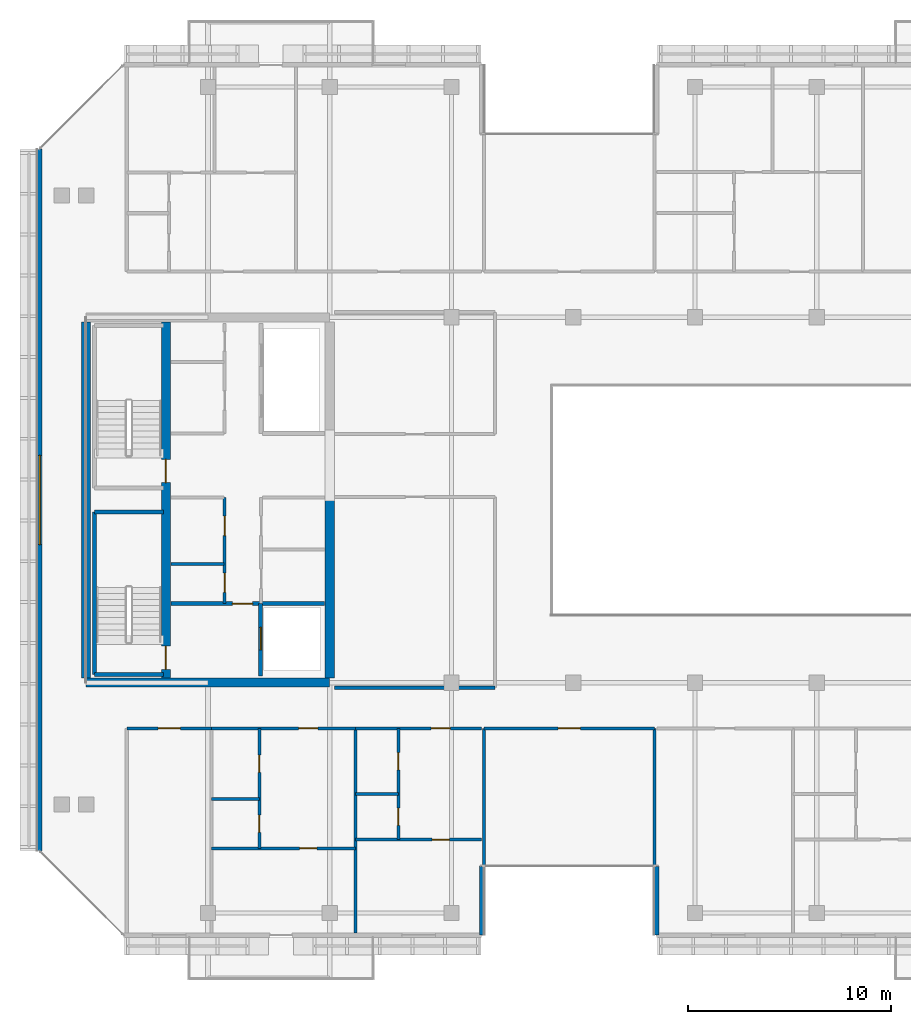
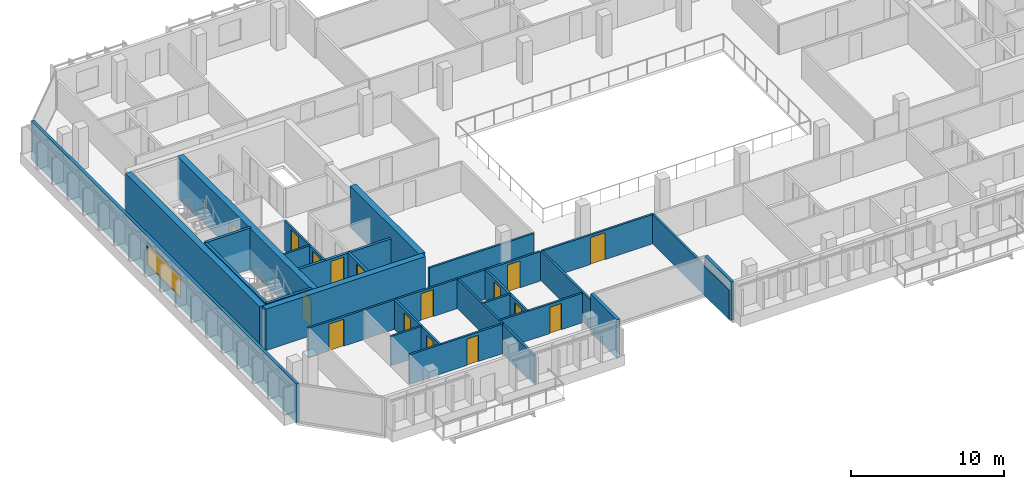
# One storey, part 14 of 25: 28 walls, 16 doors, 1 window, 17 openings.
"""IFC4 building model written with IfcOpenShell, lengths in metres."""

from ifc_helpers import new_model, si_unit, direction, frame, frame_2d, origin, place, context, subcontext, project, spatial, rectangle, extrude, material, layer, layer_set, type_object, element, fill, save


model = new_model("IFC4")

# Units and contexts
model_context = context("Model", 3, precision=1e-05, world=origin(), true_north=direction((0.0, 1.0)))
body_context = subcontext(model_context, "Body", "Model", "MODEL_VIEW")
ifc_project = project(units=[si_unit("LENGTHUNIT", "METRE"), si_unit("AREAUNIT", "SQUARE_METRE"), si_unit("VOLUMEUNIT", "CUBIC_METRE"), si_unit("PLANEANGLEUNIT", "RADIAN"), si_unit("MASSUNIT", "GRAM", prefix="KILO")], contexts=[model_context])

# Site, building, storey
site_placement = place(None, origin())
site = spatial("IfcSite", under=ifc_project, at=site_placement, CompositionType="ELEMENT")
building_placement = place(site_placement, origin())
building = spatial("IfcBuilding", under=site, at=building_placement, Name="Tanjung Sevakor Pilgrim Tower", CompositionType="ELEMENT")
storey_placement = place(building_placement, frame((0.0, 0.0, 204.929931640625)))
storey = spatial("IfcBuildingStorey", under=building, at=storey_placement, Name="L57", CompositionType="ELEMENT", Elevation=204.929931640625)

# Walls
ifc_material_1 = material(Name="Concrete C60/75", Category="concrete")
ifc_layer_1 = layer(ifc_material_1, 0.449951171875)
ifc_layer_set_1 = layer_set([ifc_layer_1], Name="WALL-CW-450")
wall_type_1 = type_object("IfcWallType", Name="WALL-CW-450", PredefinedType="SHEAR", material=ifc_layer_set_1)
wall_1_placement = place(storey_placement, frame((24.0, 24.60009765625, 0.0), z_axis=(0.0, 0.0, 1.0), x_axis=(1.0, 0.0, 0.0)))
element("IfcWall", 1, at=wall_1_placement, inside=storey, type_object=wall_type_1, Name="L57 W Core South Shear Wall", PredefinedType="SHEAR", context=body_context, shape_type="SweptSolid", body=[
    extrude(rectangle(XDim=12.0, YDim=0.449951171875, at=frame_2d((6.0, 0.0))), origin(), (0.0, 0.0, 1.0), 3.300048828125),
])
wall_2_placement = place(storey_placement, frame((24.0, 24.824951171875, 0.0), z_axis=(0.0, 0.0, 1.0), x_axis=(0.0, 1.0, 0.0)))
element("IfcWall", 2, at=wall_2_placement, inside=storey, type_object=wall_type_1, Name="L57 W Core Outer Shear Wall", PredefinedType="SHEAR", context=body_context, shape_type="SweptSolid", body=[
    extrude(rectangle(XDim=17.550048828125, YDim=0.449951171875, at=frame_2d((8.77490234375, 0.0))), origin(), (0.0, 0.0, 1.0), 3.300048828125),
])
wall_3_placement = place(storey_placement, frame((36.0, 24.824951171875, 0.0), z_axis=(0.0, 0.0, 1.0), x_axis=(0.0, 1.0, 0.0)))
element("IfcWall", 3, at=wall_3_placement, inside=storey, type_object=wall_type_1, Name="L57 W Core Inner Shear Wall South", PredefinedType="SHEAR", context=body_context, shape_type="SweptSolid", body=[
    extrude(rectangle(XDim=8.97509765625, YDim=0.449951171875, at=frame_2d((4.487548828125, 0.0))), origin(), (0.0, 0.0, 1.0), 3.300048828125),
])

# Wall, openings, doors
wall_4_placement = place(storey_placement, frame((27.925048828125, 24.824951171875, 0.0), z_axis=(0.0, 0.0, 1.0), x_axis=(0.0, 1.0, 0.0)))
wall_4 = element("IfcWall", 4, at=wall_4_placement, inside=storey, type_object=wall_type_1, Name="L57 W Core Stair Spine Wall", PredefinedType="SHEAR", context=body_context, shape_type="SweptSolid", body=[
    extrude(rectangle(XDim=17.550048828125, YDim=0.449951171875, at=frame_2d((8.77490234375, 0.0))), origin(), (0.0, 0.0, 1.0), 3.300048828125),
])
opening_1_placement = place(wall_4_placement, frame((0.425048828125, 0.0, 0.0)))
opening_1 = element("IfcOpeningElement", 5, at=opening_1_placement, cuts=wall_4, Name="Opening ID-ST1", PredefinedType="OPENING", context=body_context, shape_type="SweptSolid", body=[
    extrude(rectangle(XDim=1.14990234375, YDim=2.14990234375, at=frame_2d((0.574951171875, 1.074951171875))), frame((0.0, 0.23486328125, 0.0), z_axis=(0.0, -1.0, 0.0), x_axis=(1.0, 0.0, 0.0)), (0.0, 0.0, 1.0), 0.469970703125),
])
opening_2_placement = place(wall_4_placement, frame((9.625, 0.0, 0.0)))
opening_2 = element("IfcOpeningElement", 6, at=opening_2_placement, cuts=wall_4, Name="Opening ID-ST1", PredefinedType="OPENING", context=body_context, shape_type="SweptSolid", body=[
    extrude(rectangle(XDim=1.14990234375, YDim=2.14990234375, at=frame_2d((0.574951171875, 1.074951171875))), frame((0.0, 0.23486328125, 0.0), z_axis=(0.0, -1.0, 0.0), x_axis=(1.0, 0.0, 0.0)), (0.0, 0.0, 1.0), 0.469970703125),
])
ifc_material_2 = material(Name="Fire-Rated Steel S355J2", Category="steel")
door_type_1 = type_object("IfcDoorType", Name="DT-FIRE-1150", OperationType="NOTDEFINED", PredefinedType="DOOR", material=ifc_material_2)
door_1_placement = place(opening_1_placement, origin())
door_1 = element("IfcDoor", 7, at=door_1_placement, inside=storey, type_object=door_type_1, Name="L57 TS-W1 Stair Fire Door", OperationType="SINGLE_SWING_RIGHT", OverallHeight=2.14990234375, OverallWidth=1.14990234375, PredefinedType="DOOR", context=body_context, shape_type="SweptSolid", body=[
    extrude(rectangle(XDim=1.14990234375, YDim=2.14990234375, at=frame_2d((0.574951171875, 1.074951171875))), frame((0.0, 0.02490234375, 0.0), z_axis=(0.0, -1.0, 0.0), x_axis=(1.0, 0.0, 0.0)), (0.0, 0.0, 1.0), 0.050048828125),
])
fill(opening_1, door_1)
door_2_placement = place(opening_2_placement, origin())
door_2 = element("IfcDoor", 8, at=door_2_placement, inside=storey, type_object=door_type_1, Name="L57 TS-W2 Stair Fire Door", OperationType="SINGLE_SWING_LEFT", OverallHeight=2.14990234375, OverallWidth=1.14990234375, PredefinedType="DOOR", context=body_context, shape_type="SweptSolid", body=[
    extrude(rectangle(XDim=1.14990234375, YDim=2.14990234375, at=frame_2d((0.574951171875, 1.074951171875))), frame((0.0, 0.02490234375, 0.0), z_axis=(0.0, -1.0, 0.0), x_axis=(1.0, 0.0, 0.0)), (0.0, 0.0, 1.0), 0.050048828125),
])
fill(opening_2, door_2)

# Wall
ifc_material_3 = material(Name="Concrete C40/50", Category="concrete")
ifc_layer_2 = layer(ifc_material_3, 0.14990234375)
ifc_layer_set_2 = layer_set([ifc_layer_2], Name="WT-COMP-150")
wall_type_2 = type_object("IfcWallType", Name="WT-COMP-150", PredefinedType="SOLIDWALL", material=ifc_layer_set_2)
wall_5_placement = place(storey_placement, frame((28.169921875, 30.449951171875, 0.0), z_axis=(0.0, 0.0, 1.0), x_axis=(1.0, 0.0, 0.0)))
element("IfcWall", 9, at=wall_5_placement, inside=storey, type_object=wall_type_2, Name="L57 Partition IW-L57-003", PredefinedType="SOLIDWALL", context=body_context, shape_type="SweptSolid", body=[
    extrude(rectangle(XDim=2.630126953125, YDim=0.14990234375, at=frame_2d((1.31494140625, 0.0))), origin(), (0.0, 0.0, 1.0), 2.35009765625),
])

# Wall, openings, doors
wall_6_placement = place(storey_placement, frame((30.820068359375, 28.5, 0.0), z_axis=(0.0, 0.0, 1.0), x_axis=(0.0, 1.0, 0.0)))
wall_6 = element("IfcWall", 10, at=wall_6_placement, inside=storey, type_object=wall_type_2, Name="L57 Partition IW-L57-005", PredefinedType="SOLIDWALL", context=body_context, shape_type="SweptSolid", body=[
    extrude(rectangle(XDim=5.219970703125, YDim=0.14990234375, at=frame_2d((2.60986328125, 0.0))), origin(), (0.0, 0.0, 1.0), 2.35009765625),
])
opening_3_placement = place(wall_6_placement, frame((0.550048828125, 0.0, 0.0)))
opening_3 = element("IfcOpeningElement", 11, at=opening_3_placement, cuts=wall_6, Name="Opening ID-FD2", PredefinedType="OPENING", context=body_context, shape_type="SweptSolid", body=[
    extrude(rectangle(XDim=0.949951171875, YDim=2.14990234375, at=frame_2d((0.47509765625, 1.074951171875))), frame((0.0, 0.0849609375, 0.0), z_axis=(0.0, -1.0, 0.0), x_axis=(1.0, 0.0, 0.0)), (0.0, 0.0, 1.0), 0.169921875),
])
opening_4_placement = place(wall_6_placement, frame((3.35009765625, 0.0, 0.0)))
opening_4 = element("IfcOpeningElement", 12, at=opening_4_placement, cuts=wall_6, Name="Opening ID-FD2", PredefinedType="OPENING", context=body_context, shape_type="SweptSolid", body=[
    extrude(rectangle(XDim=0.949951171875, YDim=2.14990234375, at=frame_2d((0.47509765625, 1.074951171875))), frame((0.0, 0.0849609375, 0.0), z_axis=(0.0, -1.0, 0.0), x_axis=(1.0, 0.0, 0.0)), (0.0, 0.0, 1.0), 0.169921875),
])
ifc_material_4 = material(Name="Fire-Rated Timber", Category="wood")
door_type_2 = type_object("IfcDoorType", Name="DT-FIRE-950", OperationType="NOTDEFINED", PredefinedType="DOOR", material=ifc_material_4)
door_3_placement = place(opening_3_placement, origin())
door_3 = element("IfcDoor", 13, at=door_3_placement, inside=storey, type_object=door_type_2, Name="L57 Cleaner Store Door", OperationType="SINGLE_SWING_RIGHT", OverallHeight=2.14990234375, OverallWidth=0.949951171875, PredefinedType="DOOR", context=body_context, shape_type="SweptSolid", body=[
    extrude(rectangle(XDim=0.949951171875, YDim=2.14990234375, at=frame_2d((0.47509765625, 1.074951171875))), frame((0.0, 0.02490234375, 0.0), z_axis=(0.0, -1.0, 0.0), x_axis=(1.0, 0.0, 0.0)), (0.0, 0.0, 1.0), 0.050048828125),
])
fill(opening_3, door_3)
door_4_placement = place(opening_4_placement, origin())
door_4 = element("IfcDoor", 14, at=door_4_placement, inside=storey, type_object=door_type_2, Name="L57 Housekeeping Pantry Door", OperationType="SINGLE_SWING_LEFT", OverallHeight=2.14990234375, OverallWidth=0.949951171875, PredefinedType="DOOR", context=body_context, shape_type="SweptSolid", body=[
    extrude(rectangle(XDim=0.949951171875, YDim=2.14990234375, at=frame_2d((0.47509765625, 1.074951171875))), frame((0.0, 0.02490234375, 0.0), z_axis=(0.0, -1.0, 0.0), x_axis=(1.0, 0.0, 0.0)), (0.0, 0.0, 1.0), 0.050048828125),
])
fill(opening_4, door_4)

# Wall
wall_7_placement = place(storey_placement, frame((36.2451171875, 24.35009765625, 0.0), z_axis=(0.0, 0.0, 1.0), x_axis=(1.0, 0.0, 0.0)))
element("IfcWall", 15, at=wall_7_placement, inside=storey, type_object=wall_type_2, Name="L57 Partition IW-L57-027", PredefinedType="SOLIDWALL", context=body_context, shape_type="SweptSolid", body=[
    extrude(rectangle(XDim=7.90478515625, YDim=0.14990234375, at=frame_2d((3.952392578125, 0.0))), origin(), (0.0, 0.0, 1.0), 2.35009765625),
])

# Wall, opening, door
wall_8_placement = place(storey_placement, frame((43.60009765625, 22.35009765625, 0.0), z_axis=(0.0, 0.0, 1.0), x_axis=(1.0, 0.0, 0.0)))
wall_8 = element("IfcWall", 16, at=wall_8_placement, inside=storey, type_object=wall_type_2, Name="L57 Partition IW-L57-039", PredefinedType="SOLIDWALL", context=body_context, shape_type="SweptSolid", body=[
    extrude(rectangle(XDim=8.39990234375, YDim=0.14990234375, at=frame_2d((4.199951171875, 0.0))), origin(), (0.0, 0.0, 1.0), 2.35009765625),
])
opening_5_placement = place(wall_8_placement, frame((3.64990234375, 0.0, 0.0)))
opening_5 = element("IfcOpeningElement", 17, at=opening_5_placement, cuts=wall_8, Name="Opening ID-RM2", PredefinedType="OPENING", context=body_context, shape_type="SweptSolid", body=[
    extrude(rectangle(XDim=1.10009765625, YDim=2.14990234375, at=frame_2d((0.550048828125, 1.074951171875))), frame((0.0, 0.0849609375, 0.0), z_axis=(0.0, -1.0, 0.0), x_axis=(1.0, 0.0, 0.0)), (0.0, 0.0, 1.0), 0.169921875),
])
ifc_material_5 = material(Name="Hardwood Timber", Category="wood")
door_type_3 = type_object("IfcDoorType", Name="DT-INT-1100", OperationType="NOTDEFINED", PredefinedType="DOOR", material=ifc_material_5)
door_5_placement = place(opening_5_placement, origin())
door_5 = element("IfcDoor", 18, at=door_5_placement, inside=storey, type_object=door_type_3, Name="L57 South Cleft Observatory Door", OperationType="SINGLE_SWING_RIGHT", OverallHeight=2.14990234375, OverallWidth=1.10009765625, PredefinedType="DOOR", context=body_context, shape_type="SweptSolid", body=[
    extrude(rectangle(XDim=1.10009765625, YDim=2.14990234375, at=frame_2d((0.550048828125, 1.074951171875))), frame((0.0, 0.02490234375, 0.0), z_axis=(0.0, -1.0, 0.0), x_axis=(1.0, 0.0, 0.0)), (0.0, 0.0, 1.0), 0.050048828125),
])
fill(opening_5, door_5)

# Walls
for number, where, z_axis, x_axis, name in (
    (19, (43.60009765625, 12.27001953125, 0.0), (0.0, 0.0, 1.0), (0.0, 1.0, 0.0), "L57 Partition IW-L57-040"),
    (20, (52.0, 12.27001953125, 0.0), (0.0, 0.0, 1.0), (0.0, 1.0, 0.0), "L57 Partition IW-L57-041"),
):
    element("IfcWall", number, at=place(storey_placement, frame(where, z_axis=z_axis, x_axis=x_axis)), inside=storey, type_object=wall_type_2, Name=name, PredefinedType="SOLIDWALL", context=body_context, shape_type="SweptSolid", body=[
        extrude(rectangle(XDim=10.080078125, YDim=0.14990234375, at=frame_2d((5.0400390625, 0.0))), origin(), (0.0, 0.0, 1.0), 2.35009765625),
    ])

# Wall, opening, door
wall_9_placement = place(storey_placement, frame((26.0, 22.35009765625, 0.0), z_axis=(0.0, 0.0, 1.0), x_axis=(1.0, 0.0, 0.0)))
wall_9 = element("IfcWall", 21, at=wall_9_placement, inside=storey, type_object=wall_type_2, Name="L57 Partition IW-L57-047", PredefinedType="SOLIDWALL", context=body_context, shape_type="SweptSolid", body=[
    extrude(rectangle(XDim=4.184326171875, YDim=0.14990234375, at=frame_2d((2.09228515625, 0.0))), origin(), (0.0, 0.0, 1.0), 2.35009765625),
])
opening_6_placement = place(wall_9_placement, frame((1.542236328125, 0.0, 0.0)))
opening_6 = element("IfcOpeningElement", 22, at=opening_6_placement, cuts=wall_9, Name="Opening ID-FD0", PredefinedType="OPENING", context=body_context, shape_type="SweptSolid", body=[
    extrude(rectangle(XDim=1.10009765625, YDim=2.14990234375, at=frame_2d((0.550048828125, 1.074951171875))), frame((0.0, 0.0849609375, 0.0), z_axis=(0.0, -1.0, 0.0), x_axis=(1.0, 0.0, 0.0)), (0.0, 0.0, 1.0), 0.169921875),
])
ifc_material_6 = material(Name="Fire-Rated Steel S355J2", Category="steel")
door_type_4 = type_object("IfcDoorType", Name="DT-FIRE-1100", OperationType="NOTDEFINED", PredefinedType="DOOR", material=ifc_material_6)
door_6_placement = place(opening_6_placement, origin())
door_6 = element("IfcDoor", 23, at=door_6_placement, inside=storey, type_object=door_type_4, Name="Communal Lounge Door", OperationType="SINGLE_SWING_RIGHT", OverallHeight=2.14990234375, OverallWidth=1.10009765625, PredefinedType="DOOR", context=body_context, shape_type="SweptSolid", body=[
    extrude(rectangle(XDim=1.10009765625, YDim=2.14990234375, at=frame_2d((0.550048828125, 1.074951171875))), frame((0.0, 0.02490234375, 0.0), z_axis=(0.0, -1.0, 0.0), x_axis=(1.0, 0.0, 0.0)), (0.0, 0.0, 1.0), 0.050048828125),
])
fill(opening_6, door_6)

# Wall
wall_10_placement = place(storey_placement, frame((37.27099609375, 12.27001953125, 0.0), z_axis=(0.0, 0.0, 1.0), x_axis=(0.0, 1.0, 0.0)))
element("IfcWall", 24, at=wall_10_placement, inside=storey, type_object=wall_type_2, Name="L57 Partition IW-L57-048", PredefinedType="SOLIDWALL", context=body_context, shape_type="SweptSolid", body=[
    extrude(rectangle(XDim=10.080078125, YDim=0.14990234375, at=frame_2d((5.0400390625, 0.0))), origin(), (0.0, 0.0, 1.0), 2.35009765625),
])

# Wall, opening, door
wall_11_placement = place(storey_placement, frame((30.184326171875, 22.35009765625, 0.0), z_axis=(0.0, 0.0, 1.0), x_axis=(1.0, 0.0, 0.0)))
wall_11 = element("IfcWall", 25, at=wall_11_placement, inside=storey, type_object=wall_type_2, Name="L57 Partition IW-L57-052", PredefinedType="SOLIDWALL", context=body_context, shape_type="SweptSolid", body=[
    extrude(rectangle(XDim=7.086669921875, YDim=0.14990234375, at=frame_2d((3.54345703125, 0.0))), origin(), (0.0, 0.0, 1.0), 2.35009765625),
])
opening_7_placement = place(wall_11_placement, frame((4.283203125, 0.0, 0.0)))
opening_7 = element("IfcOpeningElement", 26, at=opening_7_placement, cuts=wall_11, Name="Opening ID-FD2", PredefinedType="OPENING", context=body_context, shape_type="SweptSolid", body=[
    extrude(rectangle(XDim=0.949951171875, YDim=2.14990234375, at=frame_2d((0.47509765625, 1.074951171875))), frame((0.0, 0.0849609375, 0.0), z_axis=(0.0, -1.0, 0.0), x_axis=(1.0, 0.0, 0.0)), (0.0, 0.0, 1.0), 0.169921875),
])
door_7_placement = place(opening_7_placement, origin())
door_7 = element("IfcDoor", 27, at=door_7_placement, inside=storey, type_object=door_type_2, Name="Residence Entrance", OperationType="SINGLE_SWING_RIGHT", OverallHeight=2.14990234375, OverallWidth=0.949951171875, PredefinedType="DOOR", context=body_context, shape_type="SweptSolid", body=[
    extrude(rectangle(XDim=0.949951171875, YDim=2.14990234375, at=frame_2d((0.47509765625, 1.074951171875))), frame((0.0, 0.02490234375, 0.0), z_axis=(0.0, -1.0, 0.0), x_axis=(1.0, 0.0, 0.0)), (0.0, 0.0, 1.0), 0.050048828125),
])
fill(opening_7, door_7)

wall_12_placement = place(storey_placement, frame((37.27099609375, 22.35009765625, 0.0), z_axis=(0.0, 0.0, 1.0), x_axis=(1.0, 0.0, 0.0)))
wall_12 = element("IfcWall", 28, at=wall_12_placement, inside=storey, type_object=wall_type_2, Name="L57 Partition IW-L57-056", PredefinedType="SOLIDWALL", context=body_context, shape_type="SweptSolid", body=[
    extrude(rectangle(XDim=6.208984375, YDim=0.14990234375, at=frame_2d((3.1044921875, 0.0))), origin(), (0.0, 0.0, 1.0), 2.35009765625),
])
opening_8_placement = place(wall_12_placement, frame((3.72509765625, 0.0, 0.0)))
opening_8 = element("IfcOpeningElement", 29, at=opening_8_placement, cuts=wall_12, Name="Opening ID-FD2", PredefinedType="OPENING", context=body_context, shape_type="SweptSolid", body=[
    extrude(rectangle(XDim=0.949951171875, YDim=2.14990234375, at=frame_2d((0.47509765625, 1.074951171875))), frame((0.0, 0.0849609375, 0.0), z_axis=(0.0, -1.0, 0.0), x_axis=(1.0, 0.0, 0.0)), (0.0, 0.0, 1.0), 0.169921875),
])
door_8_placement = place(opening_8_placement, origin())
door_8 = element("IfcDoor", 30, at=door_8_placement, inside=storey, type_object=door_type_2, Name="Residence Entrance", OperationType="SINGLE_SWING_RIGHT", OverallHeight=2.14990234375, OverallWidth=0.949951171875, PredefinedType="DOOR", context=body_context, shape_type="SweptSolid", body=[
    extrude(rectangle(XDim=0.949951171875, YDim=2.14990234375, at=frame_2d((0.47509765625, 1.074951171875))), frame((0.0, 0.02490234375, 0.0), z_axis=(0.0, -1.0, 0.0), x_axis=(1.0, 0.0, 0.0)), (0.0, 0.0, 1.0), 0.050048828125),
])
fill(opening_8, door_8)

# Walls
ifc_material_7 = material(Name="Precast concrete C45/55", Category="concrete")
ifc_layer_3 = layer(ifc_material_7, 0.219970703125)
ifc_layer_set_3 = layer_set([ifc_layer_3], Name="WT-EW-STN4")
wall_type_3 = type_object("IfcWallType", Name="WT-EW-STN4", PredefinedType="SOLIDWALL", material=ifc_layer_set_3)
for number, where, z_axis, x_axis, name in (
    (31, (43.489990234375, 12.159912109375, 0.0), (0.0, 0.0, 1.0), (0.0, 1.0, 0.0), "L57 MAIN Exterior Wall 2"),
    (32, (52.110107421875, 15.56005859375, 0.0), (0.0, 0.0, 1.0), (0.0, -1.0, 0.0), "L57 MAIN Exterior Wall 4"),
):
    element("IfcWall", number, at=place(storey_placement, frame(where, z_axis=z_axis, x_axis=x_axis)), inside=storey, type_object=wall_type_3, Name=name, PredefinedType="SOLIDWALL", context=body_context, shape_type="SweptSolid", body=[
        extrude(rectangle(XDim=3.400146484375, YDim=0.219970703125, at=frame_2d((1.7001953125, 0.0))), origin(), (0.0, 0.0, 1.0), 3.080078125),
    ])

# Wall, opening, window
wall_13_placement = place(storey_placement, frame((21.7099609375, 50.904296875, 0.0), z_axis=(0.0, 0.0, 1.0), x_axis=(0.0, -1.0, 0.0)))
wall_13 = element("IfcWall", 33, at=wall_13_placement, inside=storey, type_object=wall_type_3, Name="L57 MAIN Exterior Wall 15", PredefinedType="SOLIDWALL", context=body_context, shape_type="SweptSolid", body=[
    extrude(rectangle(XDim=34.608642578125, YDim=0.219970703125, at=frame_2d((17.30419921875, 0.0))), origin(), (0.0, 0.0, 1.0), 3.080078125),
])
opening_9_placement = place(wall_13_placement, frame((15.1044921875, 0.0, 0.780029296875)))
opening_9 = element("IfcOpeningElement", 34, at=opening_9_placement, cuts=wall_13, Name="Opening WN-ENDW-1660", PredefinedType="OPENING", context=body_context, shape_type="SweptSolid", body=[
    extrude(rectangle(XDim=4.39990234375, YDim=1.659912109375, at=frame_2d((2.199951171875, 0.830078125))), frame((0.0, 0.119873046875, 0.0), z_axis=(0.0, -1.0, 0.0), x_axis=(1.0, 0.0, 0.0)), (0.0, 0.0, 1.0), 0.239990234375),
])
ifc_material_8 = material(Name="Thermally Broken Aluminium and Low-E Glass", Category="aluminium")
window_type = type_object("IfcWindowType", Name="WTYP-WN-ENDW-1660", PartitioningType="DOUBLE_PANEL_VERTICAL", PredefinedType="WINDOW", material=ifc_material_8)
window_placement = place(opening_9_placement, origin())
window = element("IfcWindow", 35, at=window_placement, inside=storey, type_object=window_type, Name="L57 Facade Window 01", OverallHeight=1.659912109375, OverallWidth=4.39990234375, PartitioningType="SINGLE_PANEL", PredefinedType="WINDOW", context=body_context, shape_type="SweptSolid", body=[
    extrude(rectangle(XDim=4.39990234375, YDim=1.659912109375, at=frame_2d((2.199951171875, 0.830078125))), frame((0.0, 0.030029296875, 0.0), z_axis=(0.0, -1.0, 0.0), x_axis=(1.0, 0.0, 0.0)), (0.0, 0.0, 1.0), 0.06005859375),
])
fill(opening_9, window)

# Walls
ifc_material_9 = material(Name="Concrete C40/50", Category="concrete")
ifc_layer_4 = layer(ifc_material_9, 0.199951171875)
ifc_layer_set_4 = layer_set([ifc_layer_4], Name="WT-FIRE-200")
wall_type_4 = type_object("IfcWallType", Name="WT-FIRE-200", PredefinedType="SOLIDWALL", material=ifc_layer_set_4)
for number, where, z_axis, x_axis, name in (
    (36, (24.39990234375, 25.0, 0.0), (0.0, 0.0, 1.0), (1.0, 0.0, 0.0), "L57 TS-W1 Shaft Wall 1"),
    (37, (27.800048828125, 33.0, 0.0), (0.0, 0.0, 1.0), (-1.0, 0.0, 0.0), "L57 TS-W1 Shaft Wall 2"),
):
    element("IfcWall", number, at=place(storey_placement, frame(where, z_axis=z_axis, x_axis=x_axis)), inside=storey, type_object=wall_type_4, Name=name, PredefinedType="SOLIDWALL", context=body_context, shape_type="SweptSolid", body=[
        extrude(rectangle(XDim=3.400146484375, YDim=0.199951171875, at=frame_2d((1.7001953125, 0.0))), origin(), (0.0, 0.0, 1.0), 3.300048828125),
    ])
wall_14_placement = place(storey_placement, frame((24.39990234375, 33.0, 0.0), z_axis=(0.0, 0.0, 1.0), x_axis=(0.0, -1.0, 0.0)))
element("IfcWall", 38, at=wall_14_placement, inside=storey, type_object=wall_type_4, Name="L57 TS-W1 Shaft Wall 3", PredefinedType="SOLIDWALL", context=body_context, shape_type="SweptSolid", body=[
    extrude(rectangle(XDim=8.0, YDim=0.199951171875, at=frame_2d((4.0, 0.0))), origin(), (0.0, 0.0, 1.0), 3.300048828125),
])

# Wall, opening, door
ifc_material_10 = material(Name="Concrete C40/50", Category="concrete")
ifc_layer_5 = layer(ifc_material_10, 0.199951171875)
ifc_layer_set_5 = layer_set([ifc_layer_5], Name="WT-FPRT-200")
wall_type_5 = type_object("IfcWallType", Name="WT-FPRT-200", PredefinedType="SOLIDWALL", material=ifc_layer_set_5)
wall_15_placement = place(storey_placement, frame((32.60009765625, 24.919921875, 0.0), z_axis=(0.0, 0.0, 1.0), x_axis=(0.0, 1.0, 0.0)))
wall_15 = element("IfcWall", 39, at=wall_15_placement, inside=storey, type_object=wall_type_5, Name="L57 Partition IW-L57-001", PredefinedType="SOLIDWALL", context=body_context, shape_type="SweptSolid", body=[
    extrude(rectangle(XDim=3.580078125, YDim=0.199951171875, at=frame_2d((1.7900390625, 0.0))), origin(), (0.0, 0.0, 1.0), 2.35009765625),
])
opening_10_placement = place(wall_15_placement, frame((1.300048828125, 0.0, 0.0)))
opening_10 = element("IfcOpeningElement", 40, at=opening_10_placement, cuts=wall_15, Name="Opening LD-1100", PredefinedType="OPENING", context=body_context, shape_type="SweptSolid", body=[
    extrude(rectangle(XDim=1.10009765625, YDim=2.199951171875, at=frame_2d((0.550048828125, 1.10009765625))), frame((0.0, 0.10986328125, 0.0), z_axis=(0.0, -1.0, 0.0), x_axis=(1.0, 0.0, 0.0)), (0.0, 0.0, 1.0), 0.219970703125),
])
ifc_material_11 = material(Name="Brushed Stainless Steel S355J2", Category="steel")
door_type_5 = type_object("IfcDoorType", Name="DT-LIFT-1100", OperationType="SLIDING_TO_LEFT", PredefinedType="DOOR", material=ifc_material_11)
door_9_placement = place(opening_10_placement, origin())
door_9 = element("IfcDoor", 41, at=door_9_placement, inside=storey, type_object=door_type_5, Name="LD-FL-W", OperationType="SLIDING_TO_LEFT", OverallHeight=2.199951171875, OverallWidth=1.10009765625, PredefinedType="DOOR", context=body_context, shape_type="SweptSolid", body=[
    extrude(rectangle(XDim=1.10009765625, YDim=2.199951171875, at=frame_2d((0.550048828125, 1.10009765625))), frame((0.0, 0.02490234375, 0.0), z_axis=(0.0, -1.0, 0.0), x_axis=(1.0, 0.0, 0.0)), (0.0, 0.0, 1.0), 0.050048828125),
])
fill(opening_10, door_9)

wall_16_placement = place(storey_placement, frame((28.169921875, 28.5, 0.0), z_axis=(0.0, 0.0, 1.0), x_axis=(1.0, 0.0, 0.0)))
wall_16 = element("IfcWall", 42, at=wall_16_placement, inside=storey, type_object=wall_type_5, Name="L57 Partition IW-L57-002", PredefinedType="SOLIDWALL", context=body_context, shape_type="SweptSolid", body=[
    extrude(rectangle(XDim=7.5849609375, YDim=0.199951171875, at=frame_2d((3.79248046875, 0.0))), origin(), (0.0, 0.0, 1.0), 2.35009765625),
])
opening_11_placement = place(wall_16_placement, frame((3.030029296875, 0.0, 0.0)))
opening_11 = element("IfcOpeningElement", 43, at=opening_11_placement, cuts=wall_16, Name="Opening ID-FD1", PredefinedType="OPENING", context=body_context, shape_type="SweptSolid", body=[
    extrude(rectangle(XDim=1.0, YDim=2.14990234375, at=frame_2d((0.5, 1.074951171875))), frame((0.0, 0.10986328125, 0.0), z_axis=(0.0, -1.0, 0.0), x_axis=(1.0, 0.0, 0.0)), (0.0, 0.0, 1.0), 0.219970703125),
])
ifc_material_12 = material(Name="Fire-Rated Steel S355J2", Category="steel")
door_type_6 = type_object("IfcDoorType", Name="DT-FIRE-1000", OperationType="NOTDEFINED", PredefinedType="DOOR", material=ifc_material_12)
door_10_placement = place(opening_11_placement, origin())
door_10 = element("IfcDoor", 44, at=door_10_placement, inside=storey, type_object=door_type_6, Name="Fire Lobby Door W", OperationType="SINGLE_SWING_LEFT", OverallHeight=2.14990234375, OverallWidth=1.0, PredefinedType="DOOR", context=body_context, shape_type="SweptSolid", body=[
    extrude(rectangle(XDim=1.0, YDim=2.14990234375, at=frame_2d((0.5, 1.074951171875))), frame((0.0, 0.02490234375, 0.0), z_axis=(0.0, -1.0, 0.0), x_axis=(1.0, 0.0, 0.0)), (0.0, 0.0, 1.0), 0.050048828125),
])
fill(opening_11, door_10)

# Wall
ifc_material_13 = material(Name="Gypsum Board Partition", Category="gypsum board")
ifc_layer_6 = layer(ifc_material_13, 0.14990234375)
ifc_layer_set_6 = layer_set([ifc_layer_6], Name="WT-PART-150")
wall_type_6 = type_object("IfcWallType", Name="WT-PART-150", PredefinedType="PARTITIONING", material=ifc_layer_set_6)
wall_17_placement = place(storey_placement, frame((30.184326171875, 18.85888671875, 0.0), z_axis=(0.0, 0.0, 1.0), x_axis=(1.0, 0.0, 0.0)))
element("IfcWall", 45, at=wall_17_placement, inside=storey, type_object=wall_type_6, Name="L57 Partition IW-L57-049", PredefinedType="PARTITIONING", context=body_context, shape_type="SweptSolid", body=[
    extrude(rectangle(XDim=2.35009765625, YDim=0.14990234375, at=frame_2d((1.175048828125, 0.0))), origin(), (0.0, 0.0, 1.0), 2.35009765625),
])

# Wall, openings, doors
wall_18_placement = place(storey_placement, frame((32.534423828125, 16.432861328125, 0.0), z_axis=(0.0, 0.0, 1.0), x_axis=(0.0, 1.0, 0.0)))
wall_18 = element("IfcWall", 46, at=wall_18_placement, inside=storey, type_object=wall_type_6, Name="L57 Partition IW-L57-050", PredefinedType="PARTITIONING", context=body_context, shape_type="SweptSolid", body=[
    extrude(rectangle(XDim=5.917236328125, YDim=0.14990234375, at=frame_2d((2.95849609375, 0.0))), origin(), (0.0, 0.0, 1.0), 2.35009765625),
])
opening_12_placement = place(wall_18_placement, frame((0.7880859375, 0.0, 0.0)))
opening_12 = element("IfcOpeningElement", 47, at=opening_12_placement, cuts=wall_18, Name="Opening ID-WC1", PredefinedType="OPENING", context=body_context, shape_type="SweptSolid", body=[
    extrude(rectangle(XDim=0.85009765625, YDim=2.10009765625, at=frame_2d((0.425048828125, 1.050048828125))), frame((0.0, 0.0849609375, 0.0), z_axis=(0.0, -1.0, 0.0), x_axis=(1.0, 0.0, 0.0)), (0.0, 0.0, 1.0), 0.169921875),
])
opening_13_placement = place(wall_18_placement, frame((3.74658203125, 0.0, 0.0)))
opening_13 = element("IfcOpeningElement", 48, at=opening_13_placement, cuts=wall_18, Name="Opening ID-WC1", PredefinedType="OPENING", context=body_context, shape_type="SweptSolid", body=[
    extrude(rectangle(XDim=0.85009765625, YDim=2.10009765625, at=frame_2d((0.425048828125, 1.050048828125))), frame((0.0, 0.0849609375, 0.0), z_axis=(0.0, -1.0, 0.0), x_axis=(1.0, 0.0, 0.0)), (0.0, 0.0, 1.0), 0.169921875),
])
ifc_material_14 = material(Name="Moisture-Resistant Timber", Category="wood")
door_type_7 = type_object("IfcDoorType", Name="DT-INT-850", OperationType="NOTDEFINED", PredefinedType="DOOR", material=ifc_material_14)
door_11_placement = place(opening_12_placement, origin())
door_11 = element("IfcDoor", 49, at=door_11_placement, inside=storey, type_object=door_type_7, Name="Residence Bathroom Door", OperationType="SINGLE_SWING_LEFT", OverallHeight=2.10009765625, OverallWidth=0.85009765625, PredefinedType="DOOR", context=body_context, shape_type="SweptSolid", body=[
    extrude(rectangle(XDim=0.85009765625, YDim=2.10009765625, at=frame_2d((0.425048828125, 1.050048828125))), frame((0.0, 0.02490234375, 0.0), z_axis=(0.0, -1.0, 0.0), x_axis=(1.0, 0.0, 0.0)), (0.0, 0.0, 1.0), 0.050048828125),
])
fill(opening_12, door_11)
door_12_placement = place(opening_13_placement, origin())
door_12 = element("IfcDoor", 50, at=door_12_placement, inside=storey, type_object=door_type_7, Name="Residence Kitchenette Door", OperationType="SINGLE_SWING_RIGHT", OverallHeight=2.10009765625, OverallWidth=0.85009765625, PredefinedType="DOOR", context=body_context, shape_type="SweptSolid", body=[
    extrude(rectangle(XDim=0.85009765625, YDim=2.10009765625, at=frame_2d((0.425048828125, 1.050048828125))), frame((0.0, 0.02490234375, 0.0), z_axis=(0.0, -1.0, 0.0), x_axis=(1.0, 0.0, 0.0)), (0.0, 0.0, 1.0), 0.050048828125),
])
fill(opening_13, door_12)

# Wall, opening, door
wall_19_placement = place(storey_placement, frame((30.184326171875, 16.432861328125, 0.0), z_axis=(0.0, 0.0, 1.0), x_axis=(1.0, 0.0, 0.0)))
wall_19 = element("IfcWall", 51, at=wall_19_placement, inside=storey, type_object=wall_type_6, Name="L57 Partition IW-L57-051", PredefinedType="PARTITIONING", context=body_context, shape_type="SweptSolid", body=[
    extrude(rectangle(XDim=7.086669921875, YDim=0.14990234375, at=frame_2d((3.54345703125, 0.0))), origin(), (0.0, 0.0, 1.0), 2.35009765625),
])
opening_14_placement = place(wall_19_placement, frame((4.333251953125, 0.0, 0.0)))
opening_14 = element("IfcOpeningElement", 52, at=opening_14_placement, cuts=wall_19, Name="Opening ID-WC1", PredefinedType="OPENING", context=body_context, shape_type="SweptSolid", body=[
    extrude(rectangle(XDim=0.85009765625, YDim=2.10009765625, at=frame_2d((0.425048828125, 1.050048828125))), frame((0.0, 0.0849609375, 0.0), z_axis=(0.0, -1.0, 0.0), x_axis=(1.0, 0.0, 0.0)), (0.0, 0.0, 1.0), 0.169921875),
])
door_13_placement = place(opening_14_placement, origin())
door_13 = element("IfcDoor", 53, at=door_13_placement, inside=storey, type_object=door_type_7, Name="Residence Bedroom Door", OperationType="SINGLE_SWING_LEFT", OverallHeight=2.10009765625, OverallWidth=0.85009765625, PredefinedType="DOOR", context=body_context, shape_type="SweptSolid", body=[
    extrude(rectangle(XDim=0.85009765625, YDim=2.10009765625, at=frame_2d((0.425048828125, 1.050048828125))), frame((0.0, 0.02490234375, 0.0), z_axis=(0.0, -1.0, 0.0), x_axis=(1.0, 0.0, 0.0)), (0.0, 0.0, 1.0), 0.050048828125),
])
fill(opening_14, door_13)

# Wall
wall_20_placement = place(storey_placement, frame((37.27099609375, 19.11669921875, 0.0), z_axis=(0.0, 0.0, 1.0), x_axis=(1.0, 0.0, 0.0)))
element("IfcWall", 54, at=wall_20_placement, inside=storey, type_object=wall_type_6, Name="L57 Partition IW-L57-053", PredefinedType="PARTITIONING", context=body_context, shape_type="SweptSolid", body=[
    extrude(rectangle(XDim=2.111083984375, YDim=0.14990234375, at=frame_2d((1.0556640625, 0.0))), origin(), (0.0, 0.0, 1.0), 2.35009765625),
])

# Wall, openings, doors
wall_21_placement = place(storey_placement, frame((39.382080078125, 16.8701171875, 0.0), z_axis=(0.0, 0.0, 1.0), x_axis=(0.0, 1.0, 0.0)))
wall_21 = element("IfcWall", 55, at=wall_21_placement, inside=storey, type_object=wall_type_6, Name="L57 Partition IW-L57-054", PredefinedType="PARTITIONING", context=body_context, shape_type="SweptSolid", body=[
    extrude(rectangle(XDim=5.47998046875, YDim=0.14990234375, at=frame_2d((2.739990234375, 0.0))), origin(), (0.0, 0.0, 1.0), 2.35009765625),
])
opening_15_placement = place(wall_21_placement, frame((0.698486328125, 0.0, 0.0)))
opening_15 = element("IfcOpeningElement", 56, at=opening_15_placement, cuts=wall_21, Name="Opening ID-WC1", PredefinedType="OPENING", context=body_context, shape_type="SweptSolid", body=[
    extrude(rectangle(XDim=0.85009765625, YDim=2.10009765625, at=frame_2d((0.425048828125, 1.050048828125))), frame((0.0, 0.0849609375, 0.0), z_axis=(0.0, -1.0, 0.0), x_axis=(1.0, 0.0, 0.0)), (0.0, 0.0, 1.0), 0.169921875),
])
opening_16_placement = place(wall_21_placement, frame((3.4384765625, 0.0, 0.0)))
opening_16 = element("IfcOpeningElement", 57, at=opening_16_placement, cuts=wall_21, Name="Opening ID-WC1", PredefinedType="OPENING", context=body_context, shape_type="SweptSolid", body=[
    extrude(rectangle(XDim=0.85009765625, YDim=2.10009765625, at=frame_2d((0.425048828125, 1.050048828125))), frame((0.0, 0.0849609375, 0.0), z_axis=(0.0, -1.0, 0.0), x_axis=(1.0, 0.0, 0.0)), (0.0, 0.0, 1.0), 0.169921875),
])
door_14_placement = place(opening_15_placement, origin())
door_14 = element("IfcDoor", 58, at=door_14_placement, inside=storey, type_object=door_type_7, Name="Residence Bathroom Door", OperationType="SINGLE_SWING_LEFT", OverallHeight=2.10009765625, OverallWidth=0.85009765625, PredefinedType="DOOR", context=body_context, shape_type="SweptSolid", body=[
    extrude(rectangle(XDim=0.85009765625, YDim=2.10009765625, at=frame_2d((0.425048828125, 1.050048828125))), frame((0.0, 0.02490234375, 0.0), z_axis=(0.0, -1.0, 0.0), x_axis=(1.0, 0.0, 0.0)), (0.0, 0.0, 1.0), 0.050048828125),
])
fill(opening_15, door_14)
door_15_placement = place(opening_16_placement, origin())
door_15 = element("IfcDoor", 59, at=door_15_placement, inside=storey, type_object=door_type_7, Name="Residence Kitchenette Door", OperationType="SINGLE_SWING_RIGHT", OverallHeight=2.10009765625, OverallWidth=0.85009765625, PredefinedType="DOOR", context=body_context, shape_type="SweptSolid", body=[
    extrude(rectangle(XDim=0.85009765625, YDim=2.10009765625, at=frame_2d((0.425048828125, 1.050048828125))), frame((0.0, 0.02490234375, 0.0), z_axis=(0.0, -1.0, 0.0), x_axis=(1.0, 0.0, 0.0)), (0.0, 0.0, 1.0), 0.050048828125),
])
fill(opening_16, door_15)

# Wall, opening, door
wall_22_placement = place(storey_placement, frame((37.27099609375, 16.8701171875, 0.0), z_axis=(0.0, 0.0, 1.0), x_axis=(1.0, 0.0, 0.0)))
wall_22 = element("IfcWall", 60, at=wall_22_placement, inside=storey, type_object=wall_type_6, Name="L57 Partition IW-L57-055", PredefinedType="PARTITIONING", context=body_context, shape_type="SweptSolid", body=[
    extrude(rectangle(XDim=6.208984375, YDim=0.14990234375, at=frame_2d((3.1044921875, 0.0))), origin(), (0.0, 0.0, 1.0), 2.35009765625),
])
opening_17_placement = place(wall_22_placement, frame((3.775146484375, 0.0, 0.0)))
opening_17 = element("IfcOpeningElement", 61, at=opening_17_placement, cuts=wall_22, Name="Opening ID-WC1", PredefinedType="OPENING", context=body_context, shape_type="SweptSolid", body=[
    extrude(rectangle(XDim=0.85009765625, YDim=2.10009765625, at=frame_2d((0.425048828125, 1.050048828125))), frame((0.0, 0.0849609375, 0.0), z_axis=(0.0, -1.0, 0.0), x_axis=(1.0, 0.0, 0.0)), (0.0, 0.0, 1.0), 0.169921875),
])
door_16_placement = place(opening_17_placement, origin())
door_16 = element("IfcDoor", 62, at=door_16_placement, inside=storey, type_object=door_type_7, Name="Residence Bedroom Door", OperationType="SINGLE_SWING_LEFT", OverallHeight=2.10009765625, OverallWidth=0.85009765625, PredefinedType="DOOR", context=body_context, shape_type="SweptSolid", body=[
    extrude(rectangle(XDim=0.85009765625, YDim=2.10009765625, at=frame_2d((0.425048828125, 1.050048828125))), frame((0.0, 0.02490234375, 0.0), z_axis=(0.0, -1.0, 0.0), x_axis=(1.0, 0.0, 0.0)), (0.0, 0.0, 1.0), 0.050048828125),
])
fill(opening_17, door_16)

save(model, "model.ifc")
